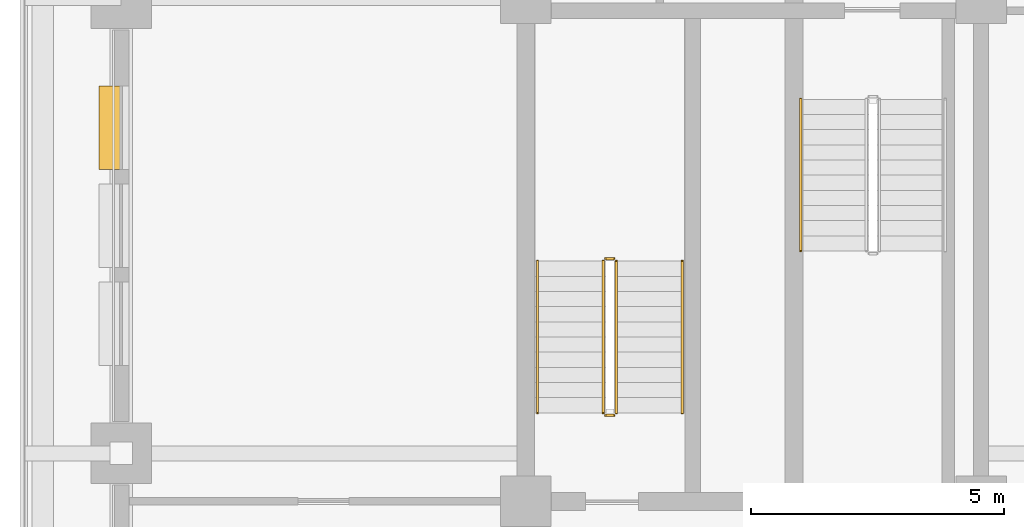
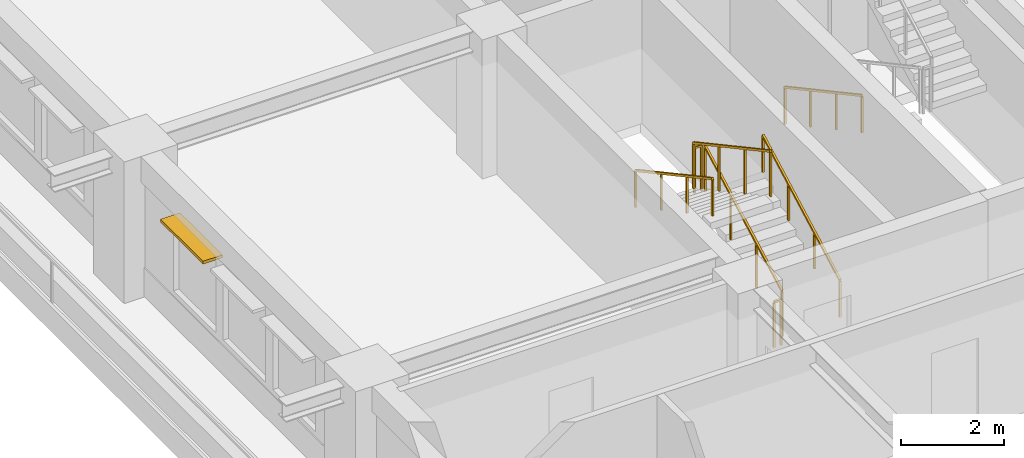
# One storey, part 9 of 16: 7 railings, 1 shading device.
"""IFC4 building model written with IfcOpenShell, lengths in metres."""

from ifc_helpers import new_model, si_unit, direction, frame, frame_2d, origin, origin_2d, place, context, subcontext, project, spatial, rectangle, extrude, material, layer, layer_set, type_object, element, save


model = new_model("IFC4")

# Units and contexts
model_context = context("Model", 3, precision=1e-05, world=origin(), true_north=direction((0.0, 1.0)))
body_context = subcontext(model_context, "Body", "Model", "MODEL_VIEW")
ifc_project = project(units=[si_unit("LENGTHUNIT", "METRE"), si_unit("AREAUNIT", "SQUARE_METRE"), si_unit("VOLUMEUNIT", "CUBIC_METRE"), si_unit("PLANEANGLEUNIT", "RADIAN"), si_unit("MASSUNIT", "GRAM", prefix="KILO")], contexts=[model_context])

# Site, building, storey
site_placement = place(None, origin())
site = spatial("IfcSite", under=ifc_project, at=site_placement, CompositionType="ELEMENT")
building_placement = place(site_placement, origin())
building = spatial("IfcBuilding", under=site, at=building_placement, Name="Zulmaris Gate Convention Tower", CompositionType="ELEMENT")
storey_placement = place(building_placement, frame((0.0, 0.0, 124.919921875)))
storey = spatial("IfcBuildingStorey", under=building, at=storey_placement, Name="L31", CompositionType="ELEMENT", Elevation=124.919921875)

# Railings
ifc_material_1 = material(Name="Painted Galvanised Steel", Category="steel")
railing_type_1 = type_object("IfcRailingType", Name="RL-STG-1150", PredefinedType="GUARDRAIL", material=ifc_material_1)
railing_1_placement = place(storey_placement, frame((-18.2099609375, -8.199951171875, 0.162353515625)))
element("IfcRailing", 1, at=railing_1_placement, inside=storey, type_object=railing_type_1, Name="L31 ST-3 stair guard 1", PredefinedType="GUARDRAIL", context=body_context, shape_type="SweptSolid", body=[
    extrude(rectangle(XDim=0.048095703125, YDim=0.048095703125, at=origin_2d()), frame((0.0, 0.0, 1.076171875), z_axis=(0.0, 0.879591569277, 0.475729619907), x_axis=(-1.0, 0.0, 0.0)), (0.0, 0.0, 1.0), 3.41064453125),
    extrude(rectangle(XDim=0.0419921875, YDim=0.0419921875, at=origin_2d()), origin(), (0.0, 0.0, 1.0), 1.052001953125),
    extrude(rectangle(XDim=0.0419921875, YDim=0.0419921875, at=origin_2d()), frame((0.0, 1.0, 0.540771484375)), (0.0, 0.0, 1.0), 1.052001953125),
    extrude(rectangle(XDim=0.0419921875, YDim=0.0419921875, at=origin_2d()), frame((0.0, 2.0, 1.081787109375)), (0.0, 0.0, 1.0), 1.052001953125),
    extrude(rectangle(XDim=0.0419921875, YDim=0.0419921875, at=origin_2d()), frame((0.0, 3.0, 1.62255859375)), (0.0, 0.0, 1.0), 1.052001953125),
])
railing_2_placement = place(storey_placement, frame((-18.260009765625, -5.14990234375, 1.784912109375)))
element("IfcRailing", 2, at=railing_2_placement, inside=storey, type_object=railing_type_1, Name="L31 ST-3 stair guard 2", PredefinedType="GUARDRAIL", context=body_context, shape_type="SweptSolid", body=[
    extrude(rectangle(XDim=0.048095703125, YDim=0.048095703125, at=origin_2d()), frame((0.0, 0.0, 1.076171875), z_axis=(-1.0, 0.0, 0.0), x_axis=(0.0, -1.0, 0.0)), (0.0, 0.0, 1.0), 0.159912109375),
    extrude(rectangle(XDim=0.0419921875, YDim=0.0419921875, at=origin_2d()), origin(), (0.0, 0.0, 1.0), 1.052001953125),
    extrude(rectangle(XDim=0.0419921875, YDim=0.0419921875, at=origin_2d()), frame((-0.159912109375, 0.0, 0.0)), (0.0, 0.0, 1.0), 1.052001953125),
])
railing_3_placement = place(storey_placement, frame((-18.469970703125, -5.199951171875, 1.947021484375)))
element("IfcRailing", 3, at=railing_3_placement, inside=storey, type_object=railing_type_1, Name="L31 ST-3 stair guard 3", PredefinedType="GUARDRAIL", context=body_context, shape_type="SweptSolid", body=[
    extrude(rectangle(XDim=0.048095703125, YDim=0.048095703125, at=origin_2d()), frame((0.0, 0.0, 1.076171875), z_axis=(0.0, -0.8795616155, 0.475784998228), x_axis=(1.0, 0.0, 0.0)), (0.0, 0.0, 1.0), 3.410888671875),
    extrude(rectangle(XDim=0.0419921875, YDim=0.0419921875, at=origin_2d()), origin(), (0.0, 0.0, 1.0), 1.052001953125),
    extrude(rectangle(XDim=0.0419921875, YDim=0.0419921875, at=origin_2d()), frame((0.0, -1.0, 0.541015625)), (0.0, 0.0, 1.0), 1.052001953125),
    extrude(rectangle(XDim=0.0419921875, YDim=0.0419921875, at=origin_2d()), frame((0.0, -2.0, 1.081787109375)), (0.0, 0.0, 1.0), 1.052001953125),
    extrude(rectangle(XDim=0.0419921875, YDim=0.0419921875, at=origin_2d()), frame((0.0, -3.0, 1.622802734375)), (0.0, 0.0, 1.0), 1.052001953125),
])
railing_4_placement = place(storey_placement, frame((-18.260009765625, -8.25, 0.0)))
element("IfcRailing", 4, at=railing_4_placement, inside=storey, type_object=railing_type_1, Name="L31 ST-3 stair guard 4", PredefinedType="GUARDRAIL", context=body_context, shape_type="SweptSolid", body=[
    extrude(rectangle(XDim=0.048095703125, YDim=0.048095703125, at=origin_2d()), frame((0.0, 0.0, 1.076171875), z_axis=(-1.0, 0.0, 0.0), x_axis=(0.0, -1.0, 0.0)), (0.0, 0.0, 1.0), 0.159912109375),
    extrude(rectangle(XDim=0.0419921875, YDim=0.0419921875, at=origin_2d()), origin(), (0.0, 0.0, 1.0), 1.052001953125),
    extrude(rectangle(XDim=0.0419921875, YDim=0.0419921875, at=origin_2d()), frame((-0.159912109375, 0.0, 0.0)), (0.0, 0.0, 1.0), 1.052001953125),
])
ifc_material_2 = material(Name="Brushed Stainless Steel", Category="steel")
railing_type_2 = type_object("IfcRailingType", Name="RL-STH-900", PredefinedType="HANDRAIL", material=ifc_material_2)
railing_5_placement = place(storey_placement, frame((-14.570068359375, -2.0, 0.162353515625)))
element("IfcRailing", 5, at=railing_5_placement, inside=storey, type_object=railing_type_2, Name="L31 ST-1 stair handrail 1", PredefinedType="HANDRAIL", context=body_context, shape_type="SweptSolid", body=[
    extrude(rectangle(XDim=0.048095703125, YDim=0.048095703125, at=origin_2d()), frame((0.0, 0.0, 0.8759765625), z_axis=(0.0, -0.879591569277, 0.475729619907), x_axis=(1.0, 0.0, 0.0)), (0.0, 0.0, 1.0), 3.41064453125),
    extrude(rectangle(XDim=0.0419921875, YDim=0.0419921875, at=origin_2d()), origin(), (0.0, 0.0, 1.0), 0.851806640625),
    extrude(rectangle(XDim=0.0419921875, YDim=0.0419921875, at=origin_2d()), frame((0.0, -1.0, 0.540771484375)), (0.0, 0.0, 1.0), 0.851806640625),
    extrude(rectangle(XDim=0.0419921875, YDim=0.0419921875, at=origin_2d()), frame((0.0, -2.0, 1.081787109375)), (0.0, 0.0, 1.0), 0.851806640625),
    extrude(rectangle(XDim=0.0419921875, YDim=0.0419921875, at=origin_2d()), frame((0.0, -3.0, 1.62255859375)), (0.0, 0.0, 1.0), 0.851806640625),
])
railing_6_placement = place(storey_placement, frame((-16.909912109375, -8.199951171875, 0.162353515625)))
element("IfcRailing", 6, at=railing_6_placement, inside=storey, type_object=railing_type_2, Name="L31 ST-3 stair handrail 1", PredefinedType="HANDRAIL", context=body_context, shape_type="SweptSolid", body=[
    extrude(rectangle(XDim=0.048095703125, YDim=0.048095703125, at=origin_2d()), frame((0.0, 0.0, 0.8759765625), z_axis=(0.0, 0.879591569277, 0.475729619907), x_axis=(-1.0, 0.0, 0.0)), (0.0, 0.0, 1.0), 3.41064453125),
    extrude(rectangle(XDim=0.0419921875, YDim=0.0419921875, at=origin_2d()), origin(), (0.0, 0.0, 1.0), 0.851806640625),
    extrude(rectangle(XDim=0.0419921875, YDim=0.0419921875, at=origin_2d()), frame((0.0, 1.0, 0.540771484375)), (0.0, 0.0, 1.0), 0.851806640625),
    extrude(rectangle(XDim=0.0419921875, YDim=0.0419921875, at=origin_2d()), frame((0.0, 2.0, 1.081787109375)), (0.0, 0.0, 1.0), 0.851806640625),
    extrude(rectangle(XDim=0.0419921875, YDim=0.0419921875, at=origin_2d()), frame((0.0, 3.0, 1.62255859375)), (0.0, 0.0, 1.0), 0.851806640625),
])
railing_7_placement = place(storey_placement, frame((-19.77001953125, -5.199951171875, 1.947021484375)))
element("IfcRailing", 7, at=railing_7_placement, inside=storey, type_object=railing_type_2, Name="L31 ST-3 stair handrail 2", PredefinedType="HANDRAIL", context=body_context, shape_type="SweptSolid", body=[
    extrude(rectangle(XDim=0.048095703125, YDim=0.048095703125, at=origin_2d()), frame((0.0, 0.0, 0.8759765625), z_axis=(0.0, -0.8795616155, 0.475784998228), x_axis=(1.0, 0.0, 0.0)), (0.0, 0.0, 1.0), 3.410888671875),
    extrude(rectangle(XDim=0.0419921875, YDim=0.0419921875, at=origin_2d()), origin(), (0.0, 0.0, 1.0), 0.851806640625),
    extrude(rectangle(XDim=0.0419921875, YDim=0.0419921875, at=origin_2d()), frame((0.0, -1.0, 0.541015625)), (0.0, 0.0, 1.0), 0.851806640625),
    extrude(rectangle(XDim=0.0419921875, YDim=0.0419921875, at=origin_2d()), frame((0.0, -2.0, 1.081787109375)), (0.0, 0.0, 1.0), 0.851806640625),
    extrude(rectangle(XDim=0.0419921875, YDim=0.0419921875, at=origin_2d()), frame((0.0, -3.0, 1.622802734375)), (0.0, 0.0, 1.0), 0.851806640625),
])

# Shading device
ifc_material_3 = material(Name="Glazed Ceramic Terracotta", Category="masonry")
ifc_layer = layer(ifc_material_3, 0.070068359375, Name="Glazed Ceramic Terracotta")
ifc_layer_set = layer_set([ifc_layer], Name="Glazed Ceramic Terracotta")
shading_device_type = type_object("IfcShadingDeviceType", Name="SHD-SUNSHADE-TC", PredefinedType="AWNING", material=ifc_layer_set)
shading_device_placement = place(storey_placement, frame((-28.219970703125, -1.739990234375, 2.530029296875), z_axis=(0.0, 0.0, 1.0), x_axis=(0.0, -1.0, 0.0)))
element("IfcShadingDevice", 8, at=shading_device_placement, inside=storey, type_object=shading_device_type, Name="SHD-EW-L31-W-1_0-1", PredefinedType="AWNING", context=body_context, shape_type="SweptSolid", body=[
    extrude(rectangle(XDim=1.64990234375, YDim=0.43994140625, at=frame_2d((0.824951171875, 0.0))), origin(), (0.0, 0.0, 1.0), 0.070068359375),
])

save(model, "model.ifc")
